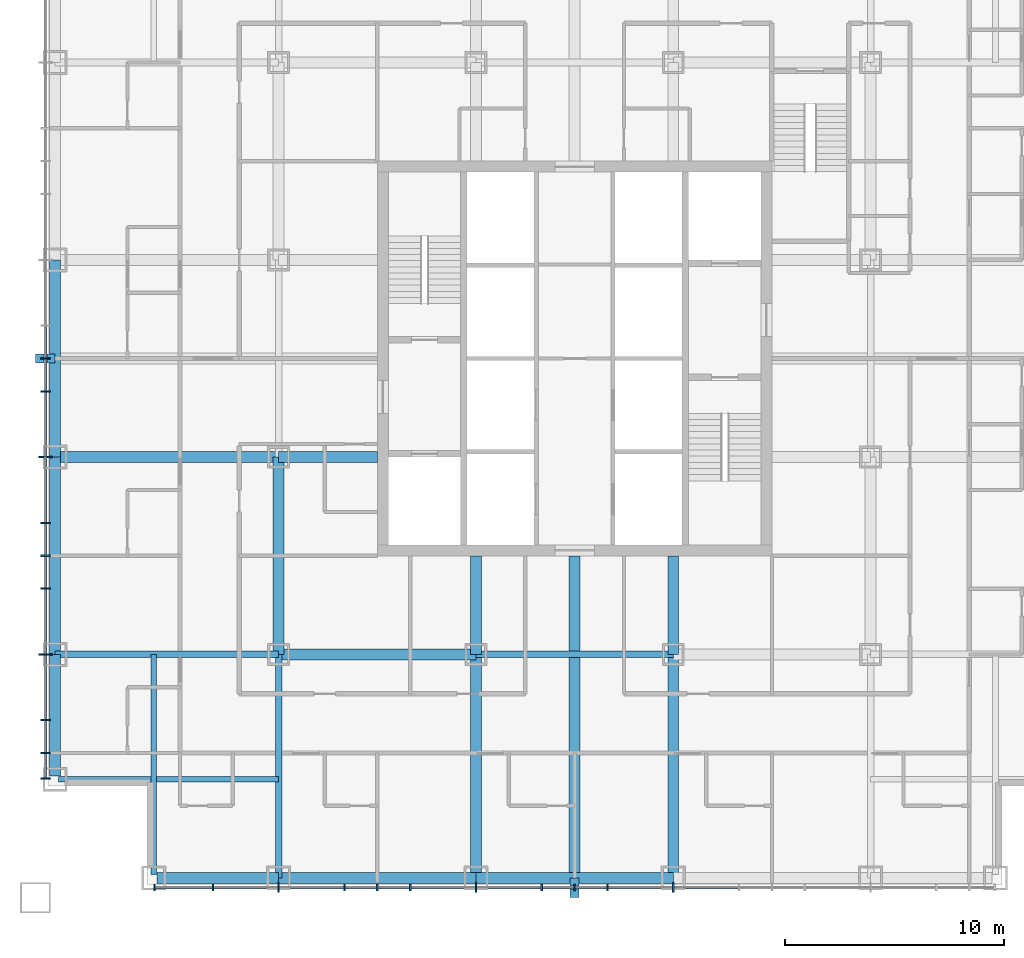
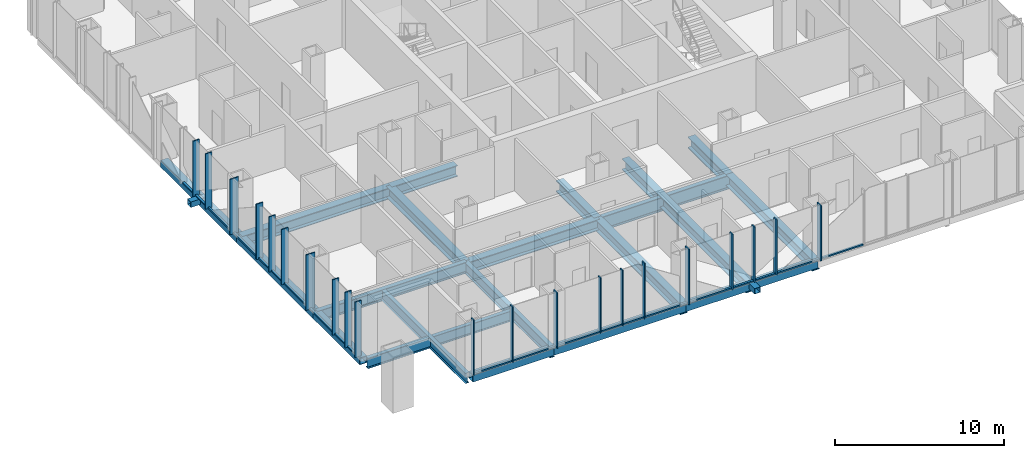
# One storey, part 2 of 13: 44 members, 20 beams, 2 elements without a shape of their own.
"""IFC4 building model written with IfcOpenShell, lengths in metres."""

from ifc_helpers import new_model, si_unit, direction, frame, origin, origin_2d, place, context, subcontext, project, spatial, rectangle, hollow_rectangle, i_section, extrude, material, layer, layer_set, material_profile, profile_set, type_object, element, aggregate, save


model = new_model("IFC4")

# Units and contexts
model_context = context("Model", 3, precision=1e-05, world=origin(), true_north=direction((0.0, 1.0)))
body_context = subcontext(model_context, "Body", "Model", "MODEL_VIEW")
ifc_project = project(units=[si_unit("LENGTHUNIT", "METRE"), si_unit("AREAUNIT", "SQUARE_METRE"), si_unit("VOLUMEUNIT", "CUBIC_METRE"), si_unit("PLANEANGLEUNIT", "RADIAN"), si_unit("MASSUNIT", "GRAM", prefix="KILO")], contexts=[model_context])

# Site, building, storey
site_placement = place(None, origin())
site = spatial("IfcSite", under=ifc_project, at=site_placement, CompositionType="ELEMENT")
building_placement = place(site_placement, origin())
building = spatial("IfcBuilding", under=site, at=building_placement, Name="Malebo Sky Hospital", CompositionType="ELEMENT")
storey_placement = place(building_placement, frame((0.0, 0.0, 156.0)))
storey = spatial("IfcBuildingStorey", under=building, at=storey_placement, Name="L37", CompositionType="ELEMENT", Elevation=156.0)

# Curtain wall, members
ifc_material_1 = material(Name="Anodised aluminium, natural silver", Category="aluminium")
ifc_layer_1 = layer(ifc_material_1, 0.25)
ifc_layer_set_1 = layer_set([ifc_layer_1], Name="WARD CURTAIN WALL EAST AND WEST")
curtain_wall_type_1 = type_object("IfcCurtainWallType", Name="WARD CURTAIN WALL EAST AND WEST", PredefinedType="NOTDEFINED", material=ifc_layer_set_1)
curtain_wall_1_placement = place(storey_placement, origin())
curtain_wall_1 = element("IfcCurtainWall", 1, at=curtain_wall_1_placement, inside=storey, type_object=curtain_wall_type_1, Name="EW curtain wall W", PredefinedType="NOTDEFINED")
ifc_material_profile_1 = material_profile(ifc_material_1, rectangle(XDim=0.14990234375, YDim=0.10009765625, at=origin_2d()), Name="ALUMINIUM TRANSOM 150x100")
ifc_profile_set_1 = profile_set([ifc_material_profile_1], Name="Anodised aluminium, natural silver")
member_type_1 = type_object("IfcMemberType", Name="ALUMINIUM TRANSOM 150x100", PredefinedType="USERDEFINED", material=ifc_profile_set_1)
member_1_placement = place(storey_placement, frame((35.864990234375, 42.875, 0.050048828125), z_axis=(0.0, 1.0, 0.0), x_axis=(-1.0, 0.0, 0.0)))
member_1 = element("IfcMember", 2, at=member_1_placement, type_object=member_type_1, Name="Transom 1", ObjectType="TRANSOM", PredefinedType="USERDEFINED", context=body_context, shape_type="SweptSolid", body=[
    extrude(rectangle(XDim=0.14990234375, YDim=0.10009765625, at=origin_2d()), origin(), (0.0, 0.0, 1.0), 1.08740234375),
])
member_2_placement = place(storey_placement, frame((35.864990234375, 44.03759765625, 0.050048828125), z_axis=(0.0, 1.0, 0.0), x_axis=(-1.0, 0.0, 0.0)))
member_2 = element("IfcMember", 3, at=member_2_placement, type_object=member_type_1, Name="Transom 2", ObjectType="TRANSOM", PredefinedType="USERDEFINED", context=body_context, shape_type="SweptSolid", body=[
    extrude(rectangle(XDim=0.14990234375, YDim=0.10009765625, at=origin_2d()), origin(), (0.0, 0.0, 1.0), 1.4248046875),
])
member_3_placement = place(storey_placement, frame((35.864990234375, 45.53759765625, 0.050048828125), z_axis=(0.0, 1.0, 0.0), x_axis=(-1.0, 0.0, 0.0)))
member_3 = element("IfcMember", 4, at=member_3_placement, type_object=member_type_1, Name="Transom 3", ObjectType="TRANSOM", PredefinedType="USERDEFINED", context=body_context, shape_type="SweptSolid", body=[
    extrude(rectangle(XDim=0.14990234375, YDim=0.10009765625, at=origin_2d()), origin(), (0.0, 0.0, 1.0), 2.9248046875),
])
member_4_placement = place(storey_placement, frame((35.864990234375, 48.53759765625, 0.050048828125), z_axis=(0.0, 1.0, 0.0), x_axis=(-1.0, 0.0, 0.0)))
member_4 = element("IfcMember", 5, at=member_4_placement, type_object=member_type_1, Name="Transom 4", ObjectType="TRANSOM", PredefinedType="USERDEFINED", context=body_context, shape_type="SweptSolid", body=[
    extrude(rectangle(XDim=0.14990234375, YDim=0.10009765625, at=origin_2d()), origin(), (0.0, 0.0, 1.0), 2.9248046875),
])
member_5_placement = place(storey_placement, frame((35.864990234375, 51.53759765625, 0.050048828125), z_axis=(0.0, 1.0, 0.0), x_axis=(-1.0, 0.0, 0.0)))
member_5 = element("IfcMember", 6, at=member_5_placement, type_object=member_type_1, Name="Transom 5", ObjectType="TRANSOM", PredefinedType="USERDEFINED", context=body_context, shape_type="SweptSolid", body=[
    extrude(rectangle(XDim=0.14990234375, YDim=0.10009765625, at=origin_2d()), origin(), (0.0, 0.0, 1.0), 1.4248046875),
])
member_6_placement = place(storey_placement, frame((35.864990234375, 53.03759765625, 0.050048828125), z_axis=(0.0, 1.0, 0.0), x_axis=(-1.0, 0.0, 0.0)))
member_6 = element("IfcMember", 7, at=member_6_placement, type_object=member_type_1, Name="Transom 6", ObjectType="TRANSOM", PredefinedType="USERDEFINED", context=body_context, shape_type="SweptSolid", body=[
    extrude(rectangle(XDim=0.14990234375, YDim=0.10009765625, at=origin_2d()), origin(), (0.0, 0.0, 1.0), 1.4248046875),
])
member_7_placement = place(storey_placement, frame((35.864990234375, 54.53759765625, 0.050048828125), z_axis=(0.0, 1.0, 0.0), x_axis=(-1.0, 0.0, 0.0)))
member_7 = element("IfcMember", 8, at=member_7_placement, type_object=member_type_1, Name="Transom 7", ObjectType="TRANSOM", PredefinedType="USERDEFINED", context=body_context, shape_type="SweptSolid", body=[
    extrude(rectangle(XDim=0.14990234375, YDim=0.10009765625, at=origin_2d()), origin(), (0.0, 0.0, 1.0), 2.9248046875),
])
member_8_placement = place(storey_placement, frame((35.864990234375, 57.53759765625, 0.050048828125), z_axis=(0.0, 1.0, 0.0), x_axis=(-1.0, 0.0, 0.0)))
member_8 = element("IfcMember", 9, at=member_8_placement, type_object=member_type_1, Name="Transom 8", ObjectType="TRANSOM", PredefinedType="USERDEFINED", context=body_context, shape_type="SweptSolid", body=[
    extrude(rectangle(XDim=0.14990234375, YDim=0.10009765625, at=origin_2d()), origin(), (0.0, 0.0, 1.0), 2.9248046875),
])
member_9_placement = place(storey_placement, frame((35.864990234375, 60.53759765625, 0.050048828125), z_axis=(0.0, 1.0, 0.0), x_axis=(-1.0, 0.0, 0.0)))
member_9 = element("IfcMember", 10, at=member_9_placement, type_object=member_type_1, Name="Transom 9", ObjectType="TRANSOM", PredefinedType="USERDEFINED", context=body_context, shape_type="SweptSolid", body=[
    extrude(rectangle(XDim=0.14990234375, YDim=0.10009765625, at=origin_2d()), origin(), (0.0, 0.0, 1.0), 1.4248046875),
])
member_10_placement = place(storey_placement, frame((35.864990234375, 62.03759765625, 0.050048828125), z_axis=(0.0, 1.0, 0.0), x_axis=(-1.0, 0.0, 0.0)))
member_10 = element("IfcMember", 11, at=member_10_placement, type_object=member_type_1, Name="Transom 10", ObjectType="TRANSOM", PredefinedType="USERDEFINED", context=body_context, shape_type="SweptSolid", body=[
    extrude(rectangle(XDim=0.14990234375, YDim=0.10009765625, at=origin_2d()), origin(), (0.0, 0.0, 1.0), 1.4248046875),
])

ifc_layer_2 = layer(ifc_material_1, 0.25)
ifc_layer_set_2 = layer_set([ifc_layer_2], Name="WARD CURTAIN WALL NORTH AND SOUTH")
curtain_wall_type_2 = type_object("IfcCurtainWallType", Name="WARD CURTAIN WALL NORTH AND SOUTH", PredefinedType="NOTDEFINED", material=ifc_layer_set_2)
curtain_wall_2_placement = place(storey_placement, origin())
curtain_wall_2 = element("IfcCurtainWall", 12, at=curtain_wall_2_placement, inside=storey, type_object=curtain_wall_type_2, Name="NS curtain wall S", PredefinedType="NOTDEFINED")
member_11_placement = place(storey_placement, frame((67.46240234375, 37.864990234375, 0.050048828125), z_axis=(-1.0, 0.0, 0.0), x_axis=(0.0, -1.0, 0.0)))
member_11 = element("IfcMember", 13, at=member_11_placement, type_object=member_type_1, Name="Transom 7", ObjectType="TRANSOM", PredefinedType="USERDEFINED", context=body_context, shape_type="SweptSolid", body=[
    extrude(rectangle(XDim=0.14990234375, YDim=0.10009765625, at=origin_2d()), origin(), (0.0, 0.0, 1.0), 2.9248046875),
])
member_12_placement = place(storey_placement, frame((64.46240234375, 37.864990234375, 0.050048828125), z_axis=(-1.0, 0.0, 0.0), x_axis=(0.0, -1.0, 0.0)))
member_12 = element("IfcMember", 14, at=member_12_placement, type_object=member_type_1, Name="Transom 8", ObjectType="TRANSOM", PredefinedType="USERDEFINED", context=body_context, shape_type="SweptSolid", body=[
    extrude(rectangle(XDim=0.14990234375, YDim=0.10009765625, at=origin_2d()), origin(), (0.0, 0.0, 1.0), 2.9248046875),
])
member_13_placement = place(storey_placement, frame((61.46240234375, 37.864990234375, 0.050048828125), z_axis=(-1.0, 0.0, 0.0), x_axis=(0.0, -1.0, 0.0)))
member_13 = element("IfcMember", 15, at=member_13_placement, type_object=member_type_1, Name="Transom 9", ObjectType="TRANSOM", PredefinedType="USERDEFINED", context=body_context, shape_type="SweptSolid", body=[
    extrude(rectangle(XDim=0.14990234375, YDim=0.10009765625, at=origin_2d()), origin(), (0.0, 0.0, 1.0), 1.4248046875),
])
member_14_placement = place(storey_placement, frame((59.96240234375, 37.864990234375, 0.050048828125), z_axis=(-1.0, 0.0, 0.0), x_axis=(0.0, -1.0, 0.0)))
member_14 = element("IfcMember", 16, at=member_14_placement, type_object=member_type_1, Name="Transom 10", ObjectType="TRANSOM", PredefinedType="USERDEFINED", context=body_context, shape_type="SweptSolid", body=[
    extrude(rectangle(XDim=0.14990234375, YDim=0.10009765625, at=origin_2d()), origin(), (0.0, 0.0, 1.0), 1.4248046875),
])
member_15_placement = place(storey_placement, frame((58.46240234375, 37.864990234375, 0.050048828125), z_axis=(-1.0, 0.0, 0.0), x_axis=(0.0, -1.0, 0.0)))
member_15 = element("IfcMember", 17, at=member_15_placement, type_object=member_type_1, Name="Transom 11", ObjectType="TRANSOM", PredefinedType="USERDEFINED", context=body_context, shape_type="SweptSolid", body=[
    extrude(rectangle(XDim=0.14990234375, YDim=0.10009765625, at=origin_2d()), origin(), (0.0, 0.0, 1.0), 2.9248046875),
])
member_16_placement = place(storey_placement, frame((55.46240234375, 37.864990234375, 0.050048828125), z_axis=(-1.0, 0.0, 0.0), x_axis=(0.0, -1.0, 0.0)))
member_16 = element("IfcMember", 18, at=member_16_placement, type_object=member_type_1, Name="Transom 12", ObjectType="TRANSOM", PredefinedType="USERDEFINED", context=body_context, shape_type="SweptSolid", body=[
    extrude(rectangle(XDim=0.14990234375, YDim=0.10009765625, at=origin_2d()), origin(), (0.0, 0.0, 1.0), 2.9248046875),
])
member_17_placement = place(storey_placement, frame((52.46240234375, 37.864990234375, 0.050048828125), z_axis=(-1.0, 0.0, 0.0), x_axis=(0.0, -1.0, 0.0)))
member_17 = element("IfcMember", 19, at=member_17_placement, type_object=member_type_1, Name="Transom 13", ObjectType="TRANSOM", PredefinedType="USERDEFINED", context=body_context, shape_type="SweptSolid", body=[
    extrude(rectangle(XDim=0.14990234375, YDim=0.10009765625, at=origin_2d()), origin(), (0.0, 0.0, 1.0), 1.4248046875),
])
member_18_placement = place(storey_placement, frame((50.96240234375, 37.864990234375, 0.050048828125), z_axis=(-1.0, 0.0, 0.0), x_axis=(0.0, -1.0, 0.0)))
member_18 = element("IfcMember", 20, at=member_18_placement, type_object=member_type_1, Name="Transom 14", ObjectType="TRANSOM", PredefinedType="USERDEFINED", context=body_context, shape_type="SweptSolid", body=[
    extrude(rectangle(XDim=0.14990234375, YDim=0.10009765625, at=origin_2d()), origin(), (0.0, 0.0, 1.0), 1.4248046875),
])
member_19_placement = place(storey_placement, frame((49.46240234375, 37.864990234375, 0.050048828125), z_axis=(-1.0, 0.0, 0.0), x_axis=(0.0, -1.0, 0.0)))
member_19 = element("IfcMember", 21, at=member_19_placement, type_object=member_type_1, Name="Transom 15", ObjectType="TRANSOM", PredefinedType="USERDEFINED", context=body_context, shape_type="SweptSolid", body=[
    extrude(rectangle(XDim=0.14990234375, YDim=0.10009765625, at=origin_2d()), origin(), (0.0, 0.0, 1.0), 2.9248046875),
])
member_20_placement = place(storey_placement, frame((46.46240234375, 37.864990234375, 0.050048828125), z_axis=(-1.0, 0.0, 0.0), x_axis=(0.0, -1.0, 0.0)))
member_20 = element("IfcMember", 22, at=member_20_placement, type_object=member_type_1, Name="Transom 16", ObjectType="TRANSOM", PredefinedType="USERDEFINED", context=body_context, shape_type="SweptSolid", body=[
    extrude(rectangle(XDim=0.14990234375, YDim=0.10009765625, at=origin_2d()), origin(), (0.0, 0.0, 1.0), 2.9248046875),
])
member_21_placement = place(storey_placement, frame((43.46240234375, 37.864990234375, 0.050048828125), z_axis=(-1.0, 0.0, 0.0), x_axis=(0.0, -1.0, 0.0)))
member_21 = element("IfcMember", 23, at=member_21_placement, type_object=member_type_1, Name="Transom 17", ObjectType="TRANSOM", PredefinedType="USERDEFINED", context=body_context, shape_type="SweptSolid", body=[
    extrude(rectangle(XDim=0.14990234375, YDim=0.10009765625, at=origin_2d()), origin(), (0.0, 0.0, 1.0), 2.58740234375),
])

# Members
ifc_material_2 = material(Name="Steel S355", Category="steel")
ifc_material_profile_2 = material_profile(ifc_material_2, hollow_rectangle(XDim=0.39990234375, YDim=0.39990234375, WallThickness=0.02001953125, at=origin_2d()), Name="SHS 400x20")
ifc_profile_set_2 = profile_set([ifc_material_profile_2], Name="Steel S355")
member_type_2 = type_object("IfcMemberType", Name="BRACE STRUT SHS 400x20", PredefinedType="STRUT", material=ifc_profile_set_2)
for number, where, z_axis, x_axis, name in (
    (24, (60.0, 37.39990234375, -0.39990234375), (0.0, 1.0, 0.0), (-1.0, 0.0, 0.0), "Brace strut BS1 L37"),
    (25, (35.39990234375, 62.0, -0.39990234375), (1.0, 0.0, 0.0), (0.0, 1.0, 0.0), "Brace strut BW1 L37"),
):
    element("IfcMember", number, at=place(storey_placement, frame(where, z_axis=z_axis, x_axis=x_axis)), inside=storey, type_object=member_type_2, Name=name, PredefinedType="STRUT", context=body_context, shape_type="SweptSolid", body=[
        extrude(hollow_rectangle(XDim=0.39990234375, YDim=0.39990234375, WallThickness=0.02001953125, at=origin_2d()), origin(), (0.0, 0.0, 1.0), 0.900146484375),
    ])

# Member
ifc_material_profile_3 = material_profile(ifc_material_1, rectangle(XDim=0.074951171875, YDim=0.300048828125, at=origin_2d()), Name="CW1 ALUMINIUM FIN MULLION 75x300")
ifc_profile_set_3 = profile_set([ifc_material_profile_3], Name="Anodised aluminium, natural silver")
member_type_3 = type_object("IfcMemberType", Name="CW1 ALUMINIUM FIN MULLION 75x300", PredefinedType="MULLION", material=ifc_profile_set_3)
member_22_placement = place(storey_placement, frame((61.5, 37.864990234375, 0.0), z_axis=(0.0, 0.0, 1.0), x_axis=(-1.0, 0.0, 0.0)))
member_22 = element("IfcMember", 26, at=member_22_placement, type_object=member_type_3, Name="Fin mullion 9", PredefinedType="MULLION", context=body_context, shape_type="SweptSolid", body=[
    extrude(rectangle(XDim=0.074951171875, YDim=0.300048828125, at=origin_2d()), origin(), (0.0, 0.0, 1.0), 4.0),
])

member_23_placement = place(storey_placement, frame((60.0, 37.864990234375, 0.0), z_axis=(0.0, 0.0, 1.0), x_axis=(-1.0, 0.0, 0.0)))
member_23 = element("IfcMember", 27, at=member_23_placement, type_object=member_type_3, Name="Fin mullion 10", PredefinedType="MULLION", context=body_context, shape_type="SweptSolid", body=[
    extrude(rectangle(XDim=0.074951171875, YDim=0.300048828125, at=origin_2d()), origin(), (0.0, 0.0, 1.0), 4.0),
])

member_24_placement = place(storey_placement, frame((58.5, 37.864990234375, 0.0), z_axis=(0.0, 0.0, 1.0), x_axis=(-1.0, 0.0, 0.0)))
member_24 = element("IfcMember", 28, at=member_24_placement, type_object=member_type_3, Name="Fin mullion 11", PredefinedType="MULLION", context=body_context, shape_type="SweptSolid", body=[
    extrude(rectangle(XDim=0.074951171875, YDim=0.300048828125, at=origin_2d()), origin(), (0.0, 0.0, 1.0), 4.0),
])

member_25_placement = place(storey_placement, frame((52.5, 37.864990234375, 0.0), z_axis=(0.0, 0.0, 1.0), x_axis=(-1.0, 0.0, 0.0)))
member_25 = element("IfcMember", 29, at=member_25_placement, type_object=member_type_3, Name="Fin mullion 13", PredefinedType="MULLION", context=body_context, shape_type="SweptSolid", body=[
    extrude(rectangle(XDim=0.074951171875, YDim=0.300048828125, at=origin_2d()), origin(), (0.0, 0.0, 1.0), 4.0),
])

member_26_placement = place(storey_placement, frame((51.0, 37.864990234375, 0.0), z_axis=(0.0, 0.0, 1.0), x_axis=(-1.0, 0.0, 0.0)))
member_26 = element("IfcMember", 30, at=member_26_placement, type_object=member_type_3, Name="Fin mullion 14", PredefinedType="MULLION", context=body_context, shape_type="SweptSolid", body=[
    extrude(rectangle(XDim=0.074951171875, YDim=0.300048828125, at=origin_2d()), origin(), (0.0, 0.0, 1.0), 4.0),
])

member_27_placement = place(storey_placement, frame((49.5, 37.864990234375, 0.0), z_axis=(0.0, 0.0, 1.0), x_axis=(-1.0, 0.0, 0.0)))
member_27 = element("IfcMember", 31, at=member_27_placement, type_object=member_type_3, Name="Fin mullion 15", PredefinedType="MULLION", context=body_context, shape_type="SweptSolid", body=[
    extrude(rectangle(XDim=0.074951171875, YDim=0.300048828125, at=origin_2d()), origin(), (0.0, 0.0, 1.0), 4.0),
])

member_28_placement = place(storey_placement, frame((43.5, 37.864990234375, 0.0), z_axis=(0.0, 0.0, 1.0), x_axis=(-1.0, 0.0, 0.0)))
member_28 = element("IfcMember", 32, at=member_28_placement, type_object=member_type_3, Name="Fin mullion 17", PredefinedType="MULLION", context=body_context, shape_type="SweptSolid", body=[
    extrude(rectangle(XDim=0.074951171875, YDim=0.300048828125, at=origin_2d()), origin(), (0.0, 0.0, 1.0), 4.0),
])

member_29_placement = place(storey_placement, frame((40.83740234375, 37.864990234375, 0.0), z_axis=(0.0, 0.0, 1.0), x_axis=(-1.0, 0.0, 0.0)))
member_29 = element("IfcMember", 33, at=member_29_placement, type_object=member_type_3, Name="Fin mullion 18", PredefinedType="MULLION", context=body_context, shape_type="SweptSolid", body=[
    extrude(rectangle(XDim=0.074951171875, YDim=0.300048828125, at=origin_2d()), origin(), (0.0, 0.0, 1.0), 4.0),
])

ifc_material_profile_4 = material_profile(ifc_material_1, rectangle(XDim=0.074951171875, YDim=0.449951171875, at=origin_2d()), Name="CW1 ALUMINIUM FIN MULLION 75x450")
ifc_profile_set_4 = profile_set([ifc_material_profile_4], Name="Anodised aluminium, natural silver")
member_type_4 = type_object("IfcMemberType", Name="CW1 ALUMINIUM FIN MULLION 75x450", PredefinedType="MULLION", material=ifc_profile_set_4)
member_30_placement = place(storey_placement, frame((64.5, 37.864990234375, 0.0), z_axis=(0.0, 0.0, 1.0), x_axis=(-1.0, 0.0, 0.0)))
member_30 = element("IfcMember", 34, at=member_30_placement, type_object=member_type_4, Name="Fin mullion 8", PredefinedType="MULLION", context=body_context, shape_type="SweptSolid", body=[
    extrude(rectangle(XDim=0.074951171875, YDim=0.449951171875, at=origin_2d()), origin(), (0.0, 0.0, 1.0), 4.0),
])

member_31_placement = place(storey_placement, frame((55.5, 37.864990234375, 0.0), z_axis=(0.0, 0.0, 1.0), x_axis=(-1.0, 0.0, 0.0)))
member_31 = element("IfcMember", 35, at=member_31_placement, type_object=member_type_4, Name="Fin mullion 12", PredefinedType="MULLION", context=body_context, shape_type="SweptSolid", body=[
    extrude(rectangle(XDim=0.074951171875, YDim=0.449951171875, at=origin_2d()), origin(), (0.0, 0.0, 1.0), 4.0),
])

member_32_placement = place(storey_placement, frame((46.5, 37.864990234375, 0.0), z_axis=(0.0, 0.0, 1.0), x_axis=(-1.0, 0.0, 0.0)))
member_32 = element("IfcMember", 36, at=member_32_placement, type_object=member_type_4, Name="Fin mullion 16", PredefinedType="MULLION", context=body_context, shape_type="SweptSolid", body=[
    extrude(rectangle(XDim=0.074951171875, YDim=0.449951171875, at=origin_2d()), origin(), (0.0, 0.0, 1.0), 4.0),
])

aggregate(curtain_wall_2, [member_30, member_22, member_23, member_24, member_31, member_25, member_26, member_27, member_32, member_28, member_29, member_11, member_12, member_13, member_14, member_15, member_16, member_17, member_18, member_19, member_20, member_21])

ifc_material_profile_5 = material_profile(ifc_material_1, rectangle(XDim=0.074951171875, YDim=0.449951171875, at=origin_2d()), Name="CW2 ALUMINIUM FIN MULLION 75x450")
ifc_profile_set_5 = profile_set([ifc_material_profile_5], Name="Anodised aluminium, natural silver")
member_type_5 = type_object("IfcMemberType", Name="CW2 ALUMINIUM FIN MULLION 75x450", PredefinedType="MULLION", material=ifc_profile_set_5)
member_33_placement = place(storey_placement, frame((35.864990234375, 42.83740234375, 0.0), z_axis=(0.0, 0.0, 1.0), x_axis=(0.0, 1.0, 0.0)))
member_33 = element("IfcMember", 37, at=member_33_placement, type_object=member_type_5, Name="Fin mullion 1", PredefinedType="MULLION", context=body_context, shape_type="SweptSolid", body=[
    extrude(rectangle(XDim=0.074951171875, YDim=0.449951171875, at=origin_2d()), origin(), (0.0, 0.0, 1.0), 4.0),
])

member_34_placement = place(storey_placement, frame((35.864990234375, 44.0, 0.0), z_axis=(0.0, 0.0, 1.0), x_axis=(0.0, 1.0, 0.0)))
member_34 = element("IfcMember", 38, at=member_34_placement, type_object=member_type_5, Name="Fin mullion 2", PredefinedType="MULLION", context=body_context, shape_type="SweptSolid", body=[
    extrude(rectangle(XDim=0.074951171875, YDim=0.449951171875, at=origin_2d()), origin(), (0.0, 0.0, 1.0), 4.0),
])

member_35_placement = place(storey_placement, frame((35.864990234375, 45.5, 0.0), z_axis=(0.0, 0.0, 1.0), x_axis=(0.0, 1.0, 0.0)))
member_35 = element("IfcMember", 39, at=member_35_placement, type_object=member_type_5, Name="Fin mullion 3", PredefinedType="MULLION", context=body_context, shape_type="SweptSolid", body=[
    extrude(rectangle(XDim=0.074951171875, YDim=0.449951171875, at=origin_2d()), origin(), (0.0, 0.0, 1.0), 4.0),
])

member_36_placement = place(storey_placement, frame((35.864990234375, 51.5, 0.0), z_axis=(0.0, 0.0, 1.0), x_axis=(0.0, 1.0, 0.0)))
member_36 = element("IfcMember", 40, at=member_36_placement, type_object=member_type_5, Name="Fin mullion 5", PredefinedType="MULLION", context=body_context, shape_type="SweptSolid", body=[
    extrude(rectangle(XDim=0.074951171875, YDim=0.449951171875, at=origin_2d()), origin(), (0.0, 0.0, 1.0), 4.0),
])

member_37_placement = place(storey_placement, frame((35.864990234375, 53.0, 0.0), z_axis=(0.0, 0.0, 1.0), x_axis=(0.0, 1.0, 0.0)))
member_37 = element("IfcMember", 41, at=member_37_placement, type_object=member_type_5, Name="Fin mullion 6", PredefinedType="MULLION", context=body_context, shape_type="SweptSolid", body=[
    extrude(rectangle(XDim=0.074951171875, YDim=0.449951171875, at=origin_2d()), origin(), (0.0, 0.0, 1.0), 4.0),
])

member_38_placement = place(storey_placement, frame((35.864990234375, 54.5, 0.0), z_axis=(0.0, 0.0, 1.0), x_axis=(0.0, 1.0, 0.0)))
member_38 = element("IfcMember", 42, at=member_38_placement, type_object=member_type_5, Name="Fin mullion 7", PredefinedType="MULLION", context=body_context, shape_type="SweptSolid", body=[
    extrude(rectangle(XDim=0.074951171875, YDim=0.449951171875, at=origin_2d()), origin(), (0.0, 0.0, 1.0), 4.0),
])

member_39_placement = place(storey_placement, frame((35.864990234375, 60.5, 0.0), z_axis=(0.0, 0.0, 1.0), x_axis=(0.0, 1.0, 0.0)))
member_39 = element("IfcMember", 43, at=member_39_placement, type_object=member_type_5, Name="Fin mullion 9", PredefinedType="MULLION", context=body_context, shape_type="SweptSolid", body=[
    extrude(rectangle(XDim=0.074951171875, YDim=0.449951171875, at=origin_2d()), origin(), (0.0, 0.0, 1.0), 4.0),
])

member_40_placement = place(storey_placement, frame((35.864990234375, 62.0, 0.0), z_axis=(0.0, 0.0, 1.0), x_axis=(0.0, 1.0, 0.0)))
member_40 = element("IfcMember", 44, at=member_40_placement, type_object=member_type_5, Name="Fin mullion 10", PredefinedType="MULLION", context=body_context, shape_type="SweptSolid", body=[
    extrude(rectangle(XDim=0.074951171875, YDim=0.449951171875, at=origin_2d()), origin(), (0.0, 0.0, 1.0), 4.0),
])

ifc_material_profile_6 = material_profile(ifc_material_1, rectangle(XDim=0.074951171875, YDim=0.60009765625, at=origin_2d()), Name="CW2 ALUMINIUM FIN MULLION 75x600")
ifc_profile_set_6 = profile_set([ifc_material_profile_6], Name="Anodised aluminium, natural silver")
member_type_6 = type_object("IfcMemberType", Name="CW2 ALUMINIUM FIN MULLION 75x600", PredefinedType="MULLION", material=ifc_profile_set_6)
member_41_placement = place(storey_placement, frame((35.864990234375, 48.5, 0.0), z_axis=(0.0, 0.0, 1.0), x_axis=(0.0, 1.0, 0.0)))
member_41 = element("IfcMember", 45, at=member_41_placement, type_object=member_type_6, Name="Fin mullion 4", PredefinedType="MULLION", context=body_context, shape_type="SweptSolid", body=[
    extrude(rectangle(XDim=0.074951171875, YDim=0.60009765625, at=origin_2d()), origin(), (0.0, 0.0, 1.0), 4.0),
])

member_42_placement = place(storey_placement, frame((35.864990234375, 57.5, 0.0), z_axis=(0.0, 0.0, 1.0), x_axis=(0.0, 1.0, 0.0)))
member_42 = element("IfcMember", 46, at=member_42_placement, type_object=member_type_6, Name="Fin mullion 8", PredefinedType="MULLION", context=body_context, shape_type="SweptSolid", body=[
    extrude(rectangle(XDim=0.074951171875, YDim=0.60009765625, at=origin_2d()), origin(), (0.0, 0.0, 1.0), 4.0),
])

aggregate(curtain_wall_1, [member_33, member_34, member_35, member_41, member_36, member_37, member_38, member_42, member_39, member_40, member_1, member_2, member_3, member_4, member_5, member_6, member_7, member_8, member_9, member_10])

# Beams
ifc_material_3 = material(Name="Steel S460", Category="steel")
ifc_material_profile_7 = material_profile(ifc_material_3, hollow_rectangle(XDim=0.5, YDim=0.5, WallThickness=0.030029296875, at=origin_2d()), Name="BOX 500x500x30")
ifc_profile_set_7 = profile_set([ifc_material_profile_7], Name="Steel S460")
beam_type_1 = type_object("IfcBeamType", Name="EDGE BEAM BOX 500x500x30", PredefinedType="BEAM", material=ifc_profile_set_7)
beam_1_placement = place(storey_placement, frame((36.300048828125, 42.949951171875, -0.5), z_axis=(0.0, 1.0, 0.0), x_axis=(-1.0, 0.0, 0.0)))
element("IfcBeam", 47, at=beam_1_placement, inside=storey, type_object=beam_type_1, Name="Beam 000 L37", PredefinedType="BEAM", context=body_context, shape_type="SweptSolid", body=[
    extrude(hollow_rectangle(XDim=0.5, YDim=0.5, WallThickness=0.030029296875, at=origin_2d()), origin(), (0.0, 0.0, 1.0), 5.550048828125),
])
for number, where, z_axis, x_axis, name in (
    (48, (36.300048828125, 48.5, -0.5), (0.0, 1.0, 0.0), (-1.0, 0.0, 0.0), "Beam 001 L37"),
    (49, (36.300048828125, 57.5, -0.5), (0.0, 1.0, 0.0), (-1.0, 0.0, 0.0), "Beam 002 L37"),
):
    element("IfcBeam", number, at=place(storey_placement, frame(where, z_axis=z_axis, x_axis=x_axis)), inside=storey, type_object=beam_type_1, Name=name, PredefinedType="BEAM", context=body_context, shape_type="SweptSolid", body=[
        extrude(hollow_rectangle(XDim=0.5, YDim=0.5, WallThickness=0.030029296875, at=origin_2d()), origin(), (0.0, 0.0, 1.0), 9.0),
    ])
beam_2_placement = place(storey_placement, frame((40.949951171875, 38.300048828125, -0.5), z_axis=(1.0, 0.0, 0.0), x_axis=(0.0, 1.0, 0.0)))
element("IfcBeam", 50, at=beam_2_placement, inside=storey, type_object=beam_type_1, Name="Beam 034 L37", PredefinedType="BEAM", context=body_context, shape_type="SweptSolid", body=[
    extrude(hollow_rectangle(XDim=0.5, YDim=0.5, WallThickness=0.030029296875, at=origin_2d()), origin(), (0.0, 0.0, 1.0), 5.550048828125),
])
for number, where, z_axis, x_axis, name in (
    (51, (46.5, 38.300048828125, -0.5), (1.0, 0.0, 0.0), (0.0, 1.0, 0.0), "Beam 035 L37"),
    (52, (55.5, 38.300048828125, -0.5), (1.0, 0.0, 0.0), (0.0, 1.0, 0.0), "Beam 036 L37"),
):
    element("IfcBeam", number, at=place(storey_placement, frame(where, z_axis=z_axis, x_axis=x_axis)), inside=storey, type_object=beam_type_1, Name=name, PredefinedType="BEAM", context=body_context, shape_type="SweptSolid", body=[
        extrude(hollow_rectangle(XDim=0.5, YDim=0.5, WallThickness=0.030029296875, at=origin_2d()), origin(), (0.0, 0.0, 1.0), 9.0),
    ])
ifc_material_profile_8 = material_profile(ifc_material_2, i_section(OverallWidth=0.262939453125, OverallDepth=0.7529296875, WebThickness=0.011474609375, FlangeThickness=0.01708984375, FilletRadius=0.01708984375, at=origin_2d()), Name="IPE 750x137")
ifc_profile_set_8 = profile_set([ifc_material_profile_8], Name="Steel S355")
beam_type_2 = type_object("IfcBeamType", Name="FLOOR BEAM IPE 750x137", PredefinedType="BEAM", material=ifc_profile_set_8)
for number, where, z_axis, x_axis, name in (
    (53, (40.800048828125, 38.449951171875, -0.62646484375), (0.0, 1.0, 0.0), (-1.0, 0.0, 0.0), "Beam 005 L37"),
    (54, (36.449951171875, 42.800048828125, -0.62646484375), (1.0, 0.0, 0.0), (0.0, 1.0, 0.0), "Beam 039 L37"),
):
    element("IfcBeam", number, at=place(storey_placement, frame(where, z_axis=z_axis, x_axis=x_axis)), inside=storey, type_object=beam_type_2, Name=name, PredefinedType="BEAM", context=body_context, shape_type="SweptSolid", body=[
        extrude(i_section(OverallWidth=0.262939453125, OverallDepth=0.7529296875, WebThickness=0.011474609375, FlangeThickness=0.01708984375, FilletRadius=0.01708984375, at=origin_2d()), origin(), (0.0, 0.0, 1.0), 10.050048828125),
    ])
ifc_material_profile_9 = material_profile(ifc_material_2, i_section(OverallWidth=0.5, OverallDepth=0.800048828125, WebThickness=0.030029296875, FlangeThickness=0.050048828125, at=origin_2d()), Name="PG 800x500x30x50")
ifc_profile_set_9 = profile_set([ifc_material_profile_9], Name="Steel S355")
beam_type_3 = type_object("IfcBeamType", Name="FLOOR BEAM PG 800x500x30x50", PredefinedType="BEAM", material=ifc_profile_set_9)
beam_3_placement = place(storey_placement, frame((46.5, 48.5, -0.64990234375), z_axis=(0.0, 1.0, 0.0), x_axis=(-1.0, 0.0, 0.0)))
element("IfcBeam", 55, at=beam_3_placement, inside=storey, type_object=beam_type_3, Name="Beam 008 L37", PredefinedType="BEAM", context=body_context, shape_type="SweptSolid", body=[
    extrude(i_section(OverallWidth=0.5, OverallDepth=0.800048828125, WebThickness=0.030029296875, FlangeThickness=0.050048828125, at=origin_2d()), origin(), (0.0, 0.0, 1.0), 9.0),
])
beam_4_placement = place(storey_placement, frame((55.5, 38.300048828125, -0.64990234375), z_axis=(0.0, 1.0, 0.0), x_axis=(-1.0, 0.0, 0.0)))
element("IfcBeam", 56, at=beam_4_placement, inside=storey, type_object=beam_type_3, Name="Beam 012 L37", PredefinedType="BEAM", context=body_context, shape_type="SweptSolid", body=[
    extrude(i_section(OverallWidth=0.5, OverallDepth=0.800048828125, WebThickness=0.030029296875, FlangeThickness=0.050048828125, at=origin_2d()), origin(), (0.0, 0.0, 1.0), 10.199951171875),
])
beam_5_placement = place(storey_placement, frame((55.5, 48.5, -0.64990234375), z_axis=(0.0, 1.0, 0.0), x_axis=(-1.0, 0.0, 0.0)))
element("IfcBeam", 57, at=beam_5_placement, inside=storey, type_object=beam_type_3, Name="Beam 013 L37", PredefinedType="BEAM", context=body_context, shape_type="SweptSolid", body=[
    extrude(i_section(OverallWidth=0.5, OverallDepth=0.800048828125, WebThickness=0.030029296875, FlangeThickness=0.050048828125, at=origin_2d()), origin(), (0.0, 0.0, 1.0), 4.5),
])
beam_6_placement = place(storey_placement, frame((60.0, 38.300048828125, -0.64990234375), z_axis=(0.0, 1.0, 0.0), x_axis=(-1.0, 0.0, 0.0)))
element("IfcBeam", 58, at=beam_6_placement, inside=storey, type_object=beam_type_3, Name="Beam 016 L37", PredefinedType="BEAM", context=body_context, shape_type="SweptSolid", body=[
    extrude(i_section(OverallWidth=0.5, OverallDepth=0.800048828125, WebThickness=0.030029296875, FlangeThickness=0.050048828125, at=origin_2d()), origin(), (0.0, 0.0, 1.0), 14.699951171875),
])
beam_7_placement = place(storey_placement, frame((64.5, 38.300048828125, -0.64990234375), z_axis=(0.0, 1.0, 0.0), x_axis=(-1.0, 0.0, 0.0)))
element("IfcBeam", 59, at=beam_7_placement, inside=storey, type_object=beam_type_3, Name="Beam 018 L37", PredefinedType="BEAM", context=body_context, shape_type="SweptSolid", body=[
    extrude(i_section(OverallWidth=0.5, OverallDepth=0.800048828125, WebThickness=0.030029296875, FlangeThickness=0.050048828125, at=origin_2d()), origin(), (0.0, 0.0, 1.0), 10.199951171875),
])
beam_8_placement = place(storey_placement, frame((64.5, 48.5, -0.64990234375), z_axis=(0.0, 1.0, 0.0), x_axis=(-1.0, 0.0, 0.0)))
element("IfcBeam", 60, at=beam_8_placement, inside=storey, type_object=beam_type_3, Name="Beam 019 L37", PredefinedType="BEAM", context=body_context, shape_type="SweptSolid", body=[
    extrude(i_section(OverallWidth=0.5, OverallDepth=0.800048828125, WebThickness=0.030029296875, FlangeThickness=0.050048828125, at=origin_2d()), origin(), (0.0, 0.0, 1.0), 4.5),
])
beam_9_placement = place(storey_placement, frame((46.5, 48.5, -0.64990234375), z_axis=(1.0, 0.0, 0.0), x_axis=(0.0, 1.0, 0.0)))
element("IfcBeam", 61, at=beam_9_placement, inside=storey, type_object=beam_type_3, Name="Beam 042 L37", PredefinedType="BEAM", context=body_context, shape_type="SweptSolid", body=[
    extrude(i_section(OverallWidth=0.5, OverallDepth=0.800048828125, WebThickness=0.030029296875, FlangeThickness=0.050048828125, at=origin_2d()), origin(), (0.0, 0.0, 1.0), 9.0),
])
beam_10_placement = place(storey_placement, frame((36.300048828125, 57.5, -0.64990234375), z_axis=(1.0, 0.0, 0.0), x_axis=(0.0, 1.0, 0.0)))
element("IfcBeam", 62, at=beam_10_placement, inside=storey, type_object=beam_type_3, Name="Beam 046 L37", PredefinedType="BEAM", context=body_context, shape_type="SweptSolid", body=[
    extrude(i_section(OverallWidth=0.5, OverallDepth=0.800048828125, WebThickness=0.030029296875, FlangeThickness=0.050048828125, at=origin_2d()), origin(), (0.0, 0.0, 1.0), 10.199951171875),
])
beam_11_placement = place(storey_placement, frame((46.5, 57.5, -0.64990234375), z_axis=(1.0, 0.0, 0.0), x_axis=(0.0, 1.0, 0.0)))
element("IfcBeam", 63, at=beam_11_placement, inside=storey, type_object=beam_type_3, Name="Beam 047 L37", PredefinedType="BEAM", context=body_context, shape_type="SweptSolid", body=[
    extrude(i_section(OverallWidth=0.5, OverallDepth=0.800048828125, WebThickness=0.030029296875, FlangeThickness=0.050048828125, at=origin_2d()), origin(), (0.0, 0.0, 1.0), 4.5),
])
ifc_material_profile_10 = material_profile(ifc_material_2, i_section(OverallWidth=0.300048828125, OverallDepth=0.800048828125, WebThickness=0.017578125, FlangeThickness=0.032958984375, FilletRadius=0.030029296875, at=origin_2d()), Name="HEB 800")
ifc_profile_set_10 = profile_set([ifc_material_profile_10], Name="Steel S355")
beam_type_4 = type_object("IfcBeamType", Name="FLOOR GIRDER HEB 800", PredefinedType="BEAM", material=ifc_profile_set_10)
for number, where, z_axis, x_axis, name in (
    (64, (46.5, 38.300048828125, -0.64990234375), (0.0, 1.0, 0.0), (-1.0, 0.0, 0.0), "Beam 007 L37"),
    (65, (36.300048828125, 48.5, -0.64990234375), (1.0, 0.0, 0.0), (0.0, 1.0, 0.0), "Beam 041 L37"),
):
    element("IfcBeam", number, at=place(storey_placement, frame(where, z_axis=z_axis, x_axis=x_axis)), inside=storey, type_object=beam_type_4, Name=name, PredefinedType="BEAM", context=body_context, shape_type="SweptSolid", body=[
        extrude(i_section(OverallWidth=0.300048828125, OverallDepth=0.800048828125, WebThickness=0.017578125, FlangeThickness=0.032958984375, FilletRadius=0.030029296875, at=origin_2d()), origin(), (0.0, 0.0, 1.0), 10.199951171875),
    ])
ifc_material_profile_11 = material_profile(ifc_material_2, i_section(OverallWidth=0.300048828125, OverallDepth=1.0, WebThickness=0.01904296875, FlangeThickness=0.035888671875, FilletRadius=0.030029296875, at=origin_2d()), Name="HEB 1000")
ifc_profile_set_11 = profile_set([ifc_material_profile_11], Name="Steel S355")
beam_type_5 = type_object("IfcBeamType", Name="RING GIRDER HEB 1000", PredefinedType="BEAM", material=ifc_profile_set_11)
beam_12_placement = place(storey_placement, frame((55.5, 48.5, -0.75), z_axis=(1.0, 0.0, 0.0), x_axis=(0.0, 1.0, 0.0)))
element("IfcBeam", 66, at=beam_12_placement, inside=storey, type_object=beam_type_5, Name="Beam 043 L37", PredefinedType="BEAM", context=body_context, shape_type="SweptSolid", body=[
    extrude(i_section(OverallWidth=0.300048828125, OverallDepth=1.0, WebThickness=0.01904296875, FlangeThickness=0.035888671875, FilletRadius=0.030029296875, at=origin_2d()), origin(), (0.0, 0.0, 1.0), 9.0),
])

save(model, "model.ifc")
